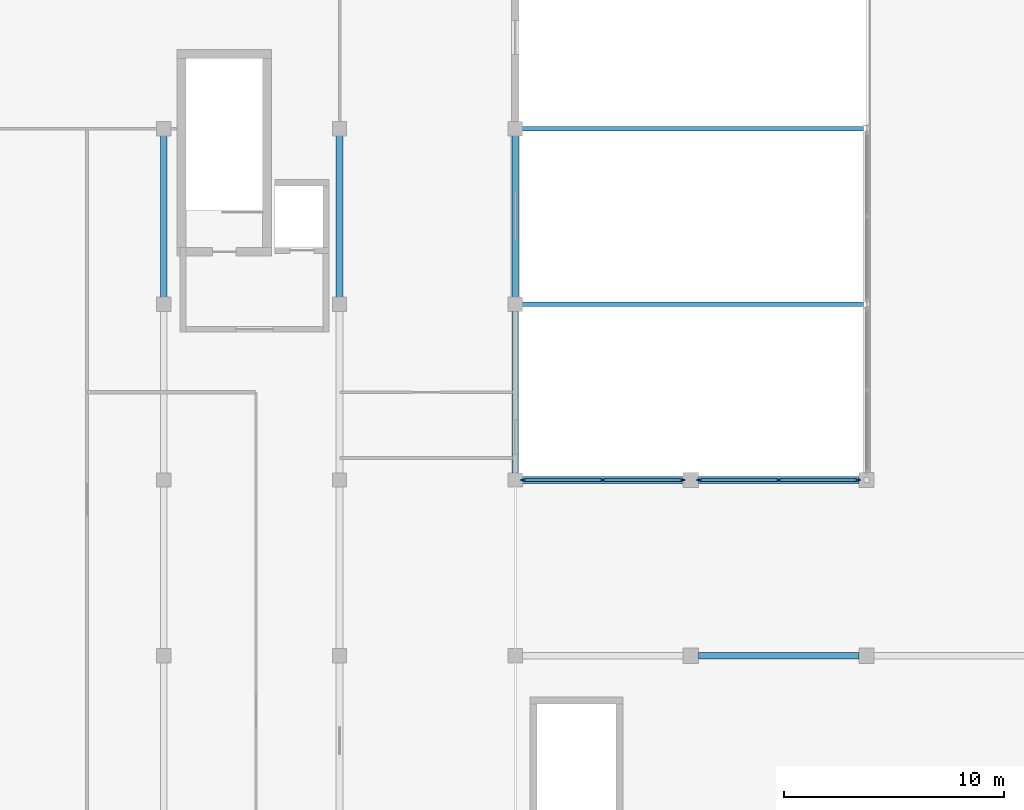
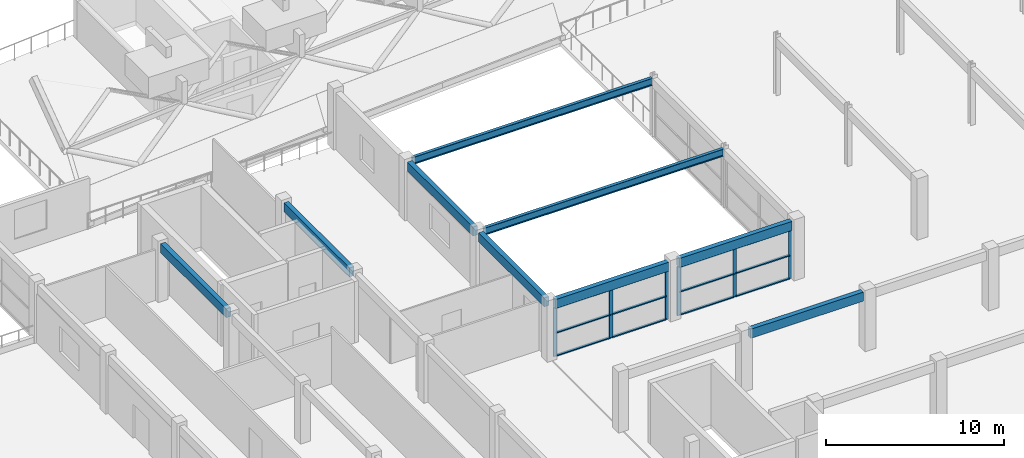
# One storey, part 9 of 67: 18 members, 9 beams, 2 elements without a shape of their own.
"""IFC4 building model written with IfcOpenShell, lengths in metres."""

from ifc_helpers import new_model, si_unit, direction, frame, origin, origin_2d, place, context, subcontext, project, spatial, rectangle, i_section, extrude, material, material_profile, profile_set, type_object, element, aggregate, save


model = new_model("IFC4")

# Units and contexts
model_context = context("Model", 3, precision=1e-05, world=origin(), true_north=direction((0.0, 1.0)))
body_context = subcontext(model_context, "Body", "Model", "MODEL_VIEW")
ifc_project = project(units=[si_unit("LENGTHUNIT", "METRE"), si_unit("AREAUNIT", "SQUARE_METRE"), si_unit("VOLUMEUNIT", "CUBIC_METRE"), si_unit("PLANEANGLEUNIT", "RADIAN"), si_unit("MASSUNIT", "GRAM", prefix="KILO")], contexts=[model_context])

# Site, building, storey
site_placement = place(None, origin())
site = spatial("IfcSite", under=ifc_project, at=site_placement, CompositionType="ELEMENT")
building_placement = place(site_placement, origin())
building = spatial("IfcBuilding", under=site, at=building_placement, Name="Kenh Van Central Station", CompositionType="ELEMENT")
storey_placement = place(building_placement, frame((0.0, 0.0, 10.800048828125)))
storey = spatial("IfcBuildingStorey", under=building, at=storey_placement, Name="L02", CompositionType="ELEMENT", Elevation=10.800048828125)

# Beams
ifc_material_1 = material(Name="Steel S355", Category="steel")
ifc_material_profile_1 = material_profile(ifc_material_1, i_section(OverallWidth=0.199951171875, OverallDepth=0.5, WebThickness=0.01025390625, FlangeThickness=0.01611328125, FilletRadius=0.02099609375, at=origin_2d()), Name="IPE 500")
ifc_profile_set_1 = profile_set([ifc_material_profile_1], Name="Steel S355")
beam_type_1 = type_object("IfcBeamType", Name="BM-STL-IPE500", PredefinedType="BEAM", material=ifc_profile_set_1)
for number, where, z_axis, x_axis, name in (
    (1, (48.31494140625, 48.0, 3.72998046875), (1.0, 0.0, 0.0), (0.0, 1.0, 0.0), "L02 beam 0973"),
    (2, (48.31494140625, 56.0, 3.72998046875), (1.0, 0.0, 0.0), (0.0, 1.0, 0.0), "L02 beam 0980"),
):
    element("IfcBeam", number, at=place(storey_placement, frame(where, z_axis=z_axis, x_axis=x_axis)), inside=storey, type_object=beam_type_1, Name=name, PredefinedType="BEAM", context=body_context, shape_type="SweptSolid", body=[
        extrude(i_section(OverallWidth=0.199951171875, OverallDepth=0.5, WebThickness=0.01025390625, FlangeThickness=0.01611328125, FilletRadius=0.02099609375, at=origin_2d()), origin(), (0.0, 0.0, 1.0), 15.545166015625),
    ])

# Curtain wall, members
ifc_material_2 = material(Name="Champagne anodised aluminium", Category="aluminium")
curtain_wall_type = type_object("IfcCurtainWallType", Name="CW-CONC-B", PredefinedType="NOTDEFINED", material=ifc_material_2)
curtain_wall_1_placement = place(storey_placement, origin())
curtain_wall_1 = element("IfcCurtainWall", 3, at=curtain_wall_1_placement, inside=storey, type_object=curtain_wall_type, Name="L02 curtain wall 168", PredefinedType="NOTDEFINED")
ifc_material_profile_2 = material_profile(ifc_material_2, rectangle(XDim=0.08203125, YDim=0.22509765625, at=origin_2d()), Name="AL 82x225")
ifc_profile_set_2 = profile_set([ifc_material_profile_2], Name="Champagne anodised aluminium")
member_type_1 = type_object("IfcMemberType", Name="CWM-70x180", PredefinedType="MULLION", material=ifc_profile_set_2)
member_1_placement = place(storey_placement, frame((63.60888671875, 40.0, 0.0), z_axis=(0.0, 0.0, 1.0), x_axis=(0.0, -1.0, 0.0)))
member_1 = element("IfcMember", 4, at=member_1_placement, type_object=member_type_1, Name="CW-04 mullion 1", PredefinedType="MULLION", context=body_context, shape_type="SweptSolid", body=[
    extrude(rectangle(XDim=0.08203125, YDim=0.22509765625, at=origin_2d()), origin(), (0.0, 0.0, 1.0), 3.35986328125),
])
member_2_placement = place(storey_placement, frame((60.0, 40.0, 0.0), z_axis=(0.0, 0.0, 1.0), x_axis=(0.0, -1.0, 0.0)))
member_2 = element("IfcMember", 5, at=member_2_placement, type_object=member_type_1, Name="CW-04 mullion 2", PredefinedType="MULLION", context=body_context, shape_type="SweptSolid", body=[
    extrude(rectangle(XDim=0.08203125, YDim=0.22509765625, at=origin_2d()), origin(), (0.0, 0.0, 1.0), 3.35986328125),
])
member_3_placement = place(storey_placement, frame((56.39111328125, 40.0, 0.0), z_axis=(0.0, 0.0, 1.0), x_axis=(0.0, -1.0, 0.0)))
member_3 = element("IfcMember", 6, at=member_3_placement, type_object=member_type_1, Name="CW-04 mullion 3", PredefinedType="MULLION", context=body_context, shape_type="SweptSolid", body=[
    extrude(rectangle(XDim=0.08203125, YDim=0.22509765625, at=origin_2d()), origin(), (0.0, 0.0, 1.0), 3.35986328125),
])

curtain_wall_2_placement = place(storey_placement, origin())
curtain_wall_2 = element("IfcCurtainWall", 7, at=curtain_wall_2_placement, inside=storey, type_object=curtain_wall_type, Name="L02 curtain wall 169", PredefinedType="NOTDEFINED")
member_4_placement = place(storey_placement, frame((55.60888671875, 40.0, 0.0), z_axis=(0.0, 0.0, 1.0), x_axis=(0.0, -1.0, 0.0)))
member_4 = element("IfcMember", 8, at=member_4_placement, type_object=member_type_1, Name="CW-04 mullion 1", PredefinedType="MULLION", context=body_context, shape_type="SweptSolid", body=[
    extrude(rectangle(XDim=0.08203125, YDim=0.22509765625, at=origin_2d()), origin(), (0.0, 0.0, 1.0), 3.35986328125),
])
member_5_placement = place(storey_placement, frame((51.987548828125, 40.0, 0.0), z_axis=(0.0, 0.0, 1.0), x_axis=(0.0, -1.0, 0.0)))
member_5 = element("IfcMember", 9, at=member_5_placement, type_object=member_type_1, Name="CW-04 mullion 2", PredefinedType="MULLION", context=body_context, shape_type="SweptSolid", body=[
    extrude(rectangle(XDim=0.08203125, YDim=0.22509765625, at=origin_2d()), origin(), (0.0, 0.0, 1.0), 3.35986328125),
])
member_6_placement = place(storey_placement, frame((48.365966796875, 40.0, 0.0), z_axis=(0.0, 0.0, 1.0), x_axis=(0.0, -1.0, 0.0)))
member_6 = element("IfcMember", 10, at=member_6_placement, type_object=member_type_1, Name="CW-04 mullion 3", PredefinedType="MULLION", context=body_context, shape_type="SweptSolid", body=[
    extrude(rectangle(XDim=0.08203125, YDim=0.22509765625, at=origin_2d()), origin(), (0.0, 0.0, 1.0), 3.35986328125),
])

# Member
ifc_material_profile_3 = material_profile(ifc_material_2, rectangle(XDim=0.155029296875, YDim=0.072021484375, at=origin_2d()), Name="AL 155x72")
ifc_profile_set_3 = profile_set([ifc_material_profile_3], Name="Champagne anodised aluminium")
member_type_2 = type_object("IfcMemberType", Name="CWT-120x60", PredefinedType="USERDEFINED", material=ifc_profile_set_3)
member_7_placement = place(storey_placement, frame((63.568115234375, 40.0, 0.035888671875), z_axis=(-1.0, 0.0, 0.0), x_axis=(0.0, -1.0, 0.0)))
member_7 = element("IfcMember", 11, at=member_7_placement, type_object=member_type_2, Name="CW-04 transom 1.1", ObjectType="TRANSOM", PredefinedType="USERDEFINED", context=body_context, shape_type="SweptSolid", body=[
    extrude(rectangle(XDim=0.155029296875, YDim=0.072021484375, at=origin_2d()), origin(), (0.0, 0.0, 1.0), 3.527099609375),
])

member_8_placement = place(storey_placement, frame((63.568115234375, 40.0, 1.61279296875), z_axis=(-1.0, 0.0, 0.0), x_axis=(0.0, -1.0, 0.0)))
member_8 = element("IfcMember", 12, at=member_8_placement, type_object=member_type_2, Name="CW-04 transom 1.2", ObjectType="TRANSOM", PredefinedType="USERDEFINED", context=body_context, shape_type="SweptSolid", body=[
    extrude(rectangle(XDim=0.155029296875, YDim=0.072021484375, at=origin_2d()), origin(), (0.0, 0.0, 1.0), 3.527099609375),
])

member_9_placement = place(storey_placement, frame((63.568115234375, 40.0, 3.323974609375), z_axis=(-1.0, 0.0, 0.0), x_axis=(0.0, -1.0, 0.0)))
member_9 = element("IfcMember", 13, at=member_9_placement, type_object=member_type_2, Name="CW-04 transom 1.3", ObjectType="TRANSOM", PredefinedType="USERDEFINED", context=body_context, shape_type="SweptSolid", body=[
    extrude(rectangle(XDim=0.155029296875, YDim=0.072021484375, at=origin_2d()), origin(), (0.0, 0.0, 1.0), 3.527099609375),
])

member_10_placement = place(storey_placement, frame((59.958984375, 40.0, 0.035888671875), z_axis=(-1.0, 0.0, 0.0), x_axis=(0.0, -1.0, 0.0)))
member_10 = element("IfcMember", 14, at=member_10_placement, type_object=member_type_2, Name="CW-04 transom 2.1", ObjectType="TRANSOM", PredefinedType="USERDEFINED", context=body_context, shape_type="SweptSolid", body=[
    extrude(rectangle(XDim=0.155029296875, YDim=0.072021484375, at=origin_2d()), origin(), (0.0, 0.0, 1.0), 3.527099609375),
])

member_11_placement = place(storey_placement, frame((59.958984375, 40.0, 1.61279296875), z_axis=(-1.0, 0.0, 0.0), x_axis=(0.0, -1.0, 0.0)))
member_11 = element("IfcMember", 15, at=member_11_placement, type_object=member_type_2, Name="CW-04 transom 2.2", ObjectType="TRANSOM", PredefinedType="USERDEFINED", context=body_context, shape_type="SweptSolid", body=[
    extrude(rectangle(XDim=0.155029296875, YDim=0.072021484375, at=origin_2d()), origin(), (0.0, 0.0, 1.0), 3.527099609375),
])

member_12_placement = place(storey_placement, frame((59.958984375, 40.0, 3.323974609375), z_axis=(-1.0, 0.0, 0.0), x_axis=(0.0, -1.0, 0.0)))
member_12 = element("IfcMember", 16, at=member_12_placement, type_object=member_type_2, Name="CW-04 transom 2.3", ObjectType="TRANSOM", PredefinedType="USERDEFINED", context=body_context, shape_type="SweptSolid", body=[
    extrude(rectangle(XDim=0.155029296875, YDim=0.072021484375, at=origin_2d()), origin(), (0.0, 0.0, 1.0), 3.527099609375),
])

aggregate(curtain_wall_1, [member_1, member_2, member_3, member_7, member_8, member_9, member_10, member_11, member_12])

member_13_placement = place(storey_placement, frame((55.568115234375, 40.0, 0.035888671875), z_axis=(-1.0, 0.0, 0.0), x_axis=(0.0, -1.0, 0.0)))
member_13 = element("IfcMember", 17, at=member_13_placement, type_object=member_type_2, Name="CW-04 transom 1.1", ObjectType="TRANSOM", PredefinedType="USERDEFINED", context=body_context, shape_type="SweptSolid", body=[
    extrude(rectangle(XDim=0.155029296875, YDim=0.072021484375, at=origin_2d()), origin(), (0.0, 0.0, 1.0), 3.53955078125),
])

member_14_placement = place(storey_placement, frame((55.568115234375, 40.0, 1.61279296875), z_axis=(-1.0, 0.0, 0.0), x_axis=(0.0, -1.0, 0.0)))
member_14 = element("IfcMember", 18, at=member_14_placement, type_object=member_type_2, Name="CW-04 transom 1.2", ObjectType="TRANSOM", PredefinedType="USERDEFINED", context=body_context, shape_type="SweptSolid", body=[
    extrude(rectangle(XDim=0.155029296875, YDim=0.072021484375, at=origin_2d()), origin(), (0.0, 0.0, 1.0), 3.53955078125),
])

member_15_placement = place(storey_placement, frame((55.568115234375, 40.0, 3.323974609375), z_axis=(-1.0, 0.0, 0.0), x_axis=(0.0, -1.0, 0.0)))
member_15 = element("IfcMember", 19, at=member_15_placement, type_object=member_type_2, Name="CW-04 transom 1.3", ObjectType="TRANSOM", PredefinedType="USERDEFINED", context=body_context, shape_type="SweptSolid", body=[
    extrude(rectangle(XDim=0.155029296875, YDim=0.072021484375, at=origin_2d()), origin(), (0.0, 0.0, 1.0), 3.53955078125),
])

member_16_placement = place(storey_placement, frame((51.946533203125, 40.0, 0.035888671875), z_axis=(-1.0, 0.0, 0.0), x_axis=(0.0, -1.0, 0.0)))
member_16 = element("IfcMember", 20, at=member_16_placement, type_object=member_type_2, Name="CW-04 transom 2.1", ObjectType="TRANSOM", PredefinedType="USERDEFINED", context=body_context, shape_type="SweptSolid", body=[
    extrude(rectangle(XDim=0.155029296875, YDim=0.072021484375, at=origin_2d()), origin(), (0.0, 0.0, 1.0), 3.53955078125),
])

member_17_placement = place(storey_placement, frame((51.946533203125, 40.0, 1.61279296875), z_axis=(-1.0, 0.0, 0.0), x_axis=(0.0, -1.0, 0.0)))
member_17 = element("IfcMember", 21, at=member_17_placement, type_object=member_type_2, Name="CW-04 transom 2.2", ObjectType="TRANSOM", PredefinedType="USERDEFINED", context=body_context, shape_type="SweptSolid", body=[
    extrude(rectangle(XDim=0.155029296875, YDim=0.072021484375, at=origin_2d()), origin(), (0.0, 0.0, 1.0), 3.53955078125),
])

member_18_placement = place(storey_placement, frame((51.946533203125, 40.0, 3.323974609375), z_axis=(-1.0, 0.0, 0.0), x_axis=(0.0, -1.0, 0.0)))
member_18 = element("IfcMember", 22, at=member_18_placement, type_object=member_type_2, Name="CW-04 transom 2.3", ObjectType="TRANSOM", PredefinedType="USERDEFINED", context=body_context, shape_type="SweptSolid", body=[
    extrude(rectangle(XDim=0.155029296875, YDim=0.072021484375, at=origin_2d()), origin(), (0.0, 0.0, 1.0), 3.53955078125),
])

aggregate(curtain_wall_2, [member_4, member_5, member_6, member_13, member_14, member_15, member_16, member_17, member_18])

# Beams
ifc_material_3 = material(Name="Concrete C35/45", Category="concrete")
ifc_material_profile_4 = material_profile(ifc_material_3, rectangle(XDim=0.300048828125, YDim=0.6201171875, at=origin_2d()), Name="RC 300x620")
ifc_profile_set_4 = profile_set([ifc_material_profile_4], Name="Concrete C35/45")
beam_type_2 = type_object("IfcBeamType", Name="SPD-RC-300x620", PredefinedType="SPANDREL", material=ifc_profile_set_4)
beam_1_placement = place(storey_placement, frame((56.340087890625, 32.0, 3.669921875), z_axis=(1.0, 0.0, 0.0), x_axis=(0.0, 1.0, 0.0)))
element("IfcBeam", 23, at=beam_1_placement, inside=storey, type_object=beam_type_2, Name="L02 beam 0949", PredefinedType="SPANDREL", context=body_context, shape_type="SweptSolid", body=[
    extrude(rectangle(XDim=0.300048828125, YDim=0.6201171875, at=origin_2d()), origin(), (0.0, 0.0, 1.0), 7.31982421875),
])
beam_2_placement = place(storey_placement, frame((48.31494140625, 40.0, 3.669921875), z_axis=(1.0, 0.0, 0.0), x_axis=(0.0, 1.0, 0.0)))
element("IfcBeam", 24, at=beam_2_placement, inside=storey, type_object=beam_type_2, Name="L02 beam 0962", PredefinedType="SPANDREL", context=body_context, shape_type="SweptSolid", body=[
    extrude(rectangle(XDim=0.300048828125, YDim=0.6201171875, at=origin_2d()), origin(), (0.0, 0.0, 1.0), 7.344970703125),
])
beam_3_placement = place(storey_placement, frame((56.340087890625, 40.0, 3.669921875), z_axis=(1.0, 0.0, 0.0), x_axis=(0.0, 1.0, 0.0)))
element("IfcBeam", 25, at=beam_3_placement, inside=storey, type_object=beam_type_2, Name="L02 beam 0963", PredefinedType="SPANDREL", context=body_context, shape_type="SweptSolid", body=[
    extrude(rectangle(XDim=0.300048828125, YDim=0.6201171875, at=origin_2d()), origin(), (0.0, 0.0, 1.0), 7.31982421875),
])
for number, where, z_axis, x_axis, name in (
    (26, (32.0, 48.31494140625, 3.669921875), (0.0, 1.0, 0.0), (-1.0, 0.0, 0.0), "L02 beam 1010"),
    (27, (40.0, 48.31494140625, 3.669921875), (0.0, 1.0, 0.0), (-1.0, 0.0, 0.0), "L02 beam 1016"),
    (28, (48.0, 40.31494140625, 3.669921875), (0.0, 1.0, 0.0), (-1.0, 0.0, 0.0), "L02 beam 1018"),
    (29, (48.0, 48.31494140625, 3.669921875), (0.0, 1.0, 0.0), (-1.0, 0.0, 0.0), "L02 beam 1019"),
):
    element("IfcBeam", number, at=place(storey_placement, frame(where, z_axis=z_axis, x_axis=x_axis)), inside=storey, type_object=beam_type_2, Name=name, PredefinedType="SPANDREL", context=body_context, shape_type="SweptSolid", body=[
        extrude(rectangle(XDim=0.300048828125, YDim=0.6201171875, at=origin_2d()), origin(), (0.0, 0.0, 1.0), 7.3701171875),
    ])

save(model, "model.ifc")
